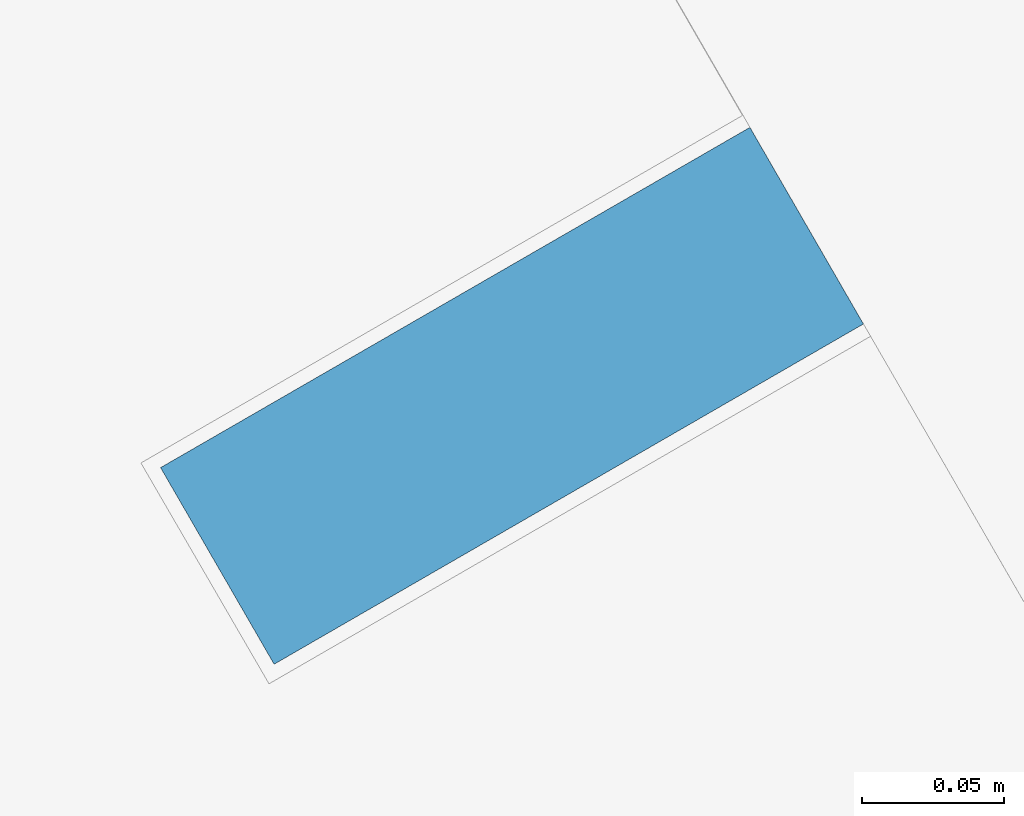
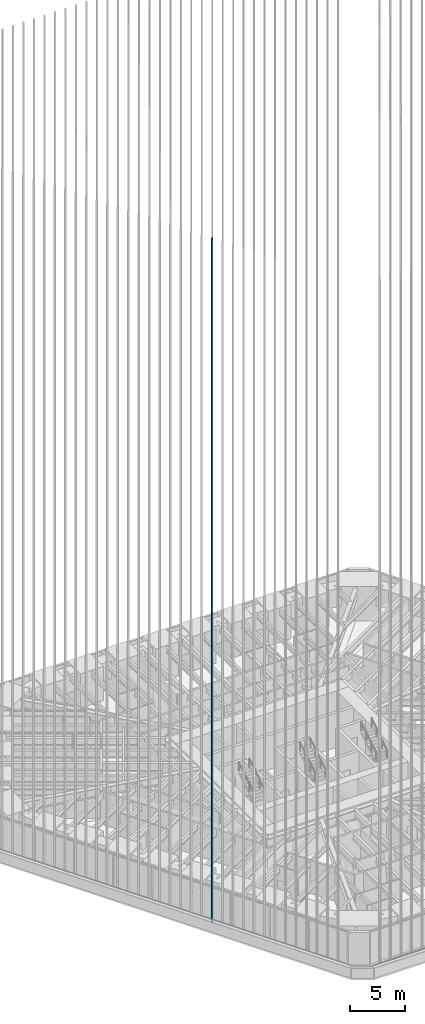
# One storey, part 9 of 238: 1 member, 1 element without a shape of its own.
"""IFC4 building model written with IfcOpenShell, lengths in metres."""

from ifc_helpers import new_model, si_unit, direction, frame, origin, origin_2d, place, context, subcontext, project, spatial, rectangle, extrude, material, material_profile, profile_set, type_object, element, aggregate, save


model = new_model("IFC4")

# Units and contexts
model_context = context("Model", 3, precision=1e-05, world=origin(), true_north=direction((0.0, 1.0)))
body_context = subcontext(model_context, "Body", "Model", "MODEL_VIEW")
ifc_project = project(units=[si_unit("LENGTHUNIT", "METRE"), si_unit("AREAUNIT", "SQUARE_METRE"), si_unit("VOLUMEUNIT", "CUBIC_METRE"), si_unit("PLANEANGLEUNIT", "RADIAN"), si_unit("MASSUNIT", "GRAM", prefix="KILO")], contexts=[model_context])

# Site, building, storey
site_placement = place(None, origin())
site = spatial("IfcSite", under=ifc_project, at=site_placement, CompositionType="ELEMENT")
building_placement = place(site_placement, origin())
building = spatial("IfcBuilding", under=site, at=building_placement, Name="Sandreach Pilgrim Tower", CompositionType="ELEMENT")
storey_placement = place(building_placement, frame((0.0, 0.0, 96.800048828125)))
storey = spatial("IfcBuildingStorey", under=building, at=storey_placement, Name="L23", CompositionType="ELEMENT", Elevation=96.800048828125)

# Curtain wall, member
ifc_material_1 = material(Name="Aluminium framed curtain wall", Category="aluminium")
curtain_wall_type = type_object("IfcCurtainWallType", Name="Hotel tower curtain wall", PredefinedType="NOTDEFINED", material=ifc_material_1)
curtain_wall_placement = place(storey_placement, origin())
curtain_wall = element("IfcCurtainWall", 1, at=curtain_wall_placement, inside=storey, type_object=curtain_wall_type, Name="CW-2 L23 SW", PredefinedType="NOTDEFINED")
ifc_material_2 = material(Name="Extruded terracotta on aluminium core", Category="masonry")
ifc_material_profile = material_profile(ifc_material_2, rectangle(XDim=0.080078125, YDim=0.239990234375, at=origin_2d()), Name="TBW 80X240")
ifc_profile_set = profile_set([ifc_material_profile], Name="Extruded terracotta on aluminium core")
member_type = type_object("IfcMemberType", Name="Terracotta baguette west", PredefinedType="USERDEFINED", material=ifc_profile_set)
member_placement = place(storey_placement, frame((-17.64111328125, -15.272216796875, 0.0), z_axis=(0.0, 0.0, 1.0), x_axis=(-0.5, 0.866025403784, 0.0)))
member = element("IfcMember", 2, at=member_placement, type_object=member_type, Name="Baguette Z2 SW13", ObjectType="BAGUETTE", PredefinedType="USERDEFINED", context=body_context, shape_type="SweptSolid", body=[
    extrude(rectangle(XDim=0.080078125, YDim=0.239990234375, at=origin_2d()), origin(), (0.0, 0.0, 1.0), 75.83984375),
])
aggregate(curtain_wall, [member])

save(model, "model.ifc")
